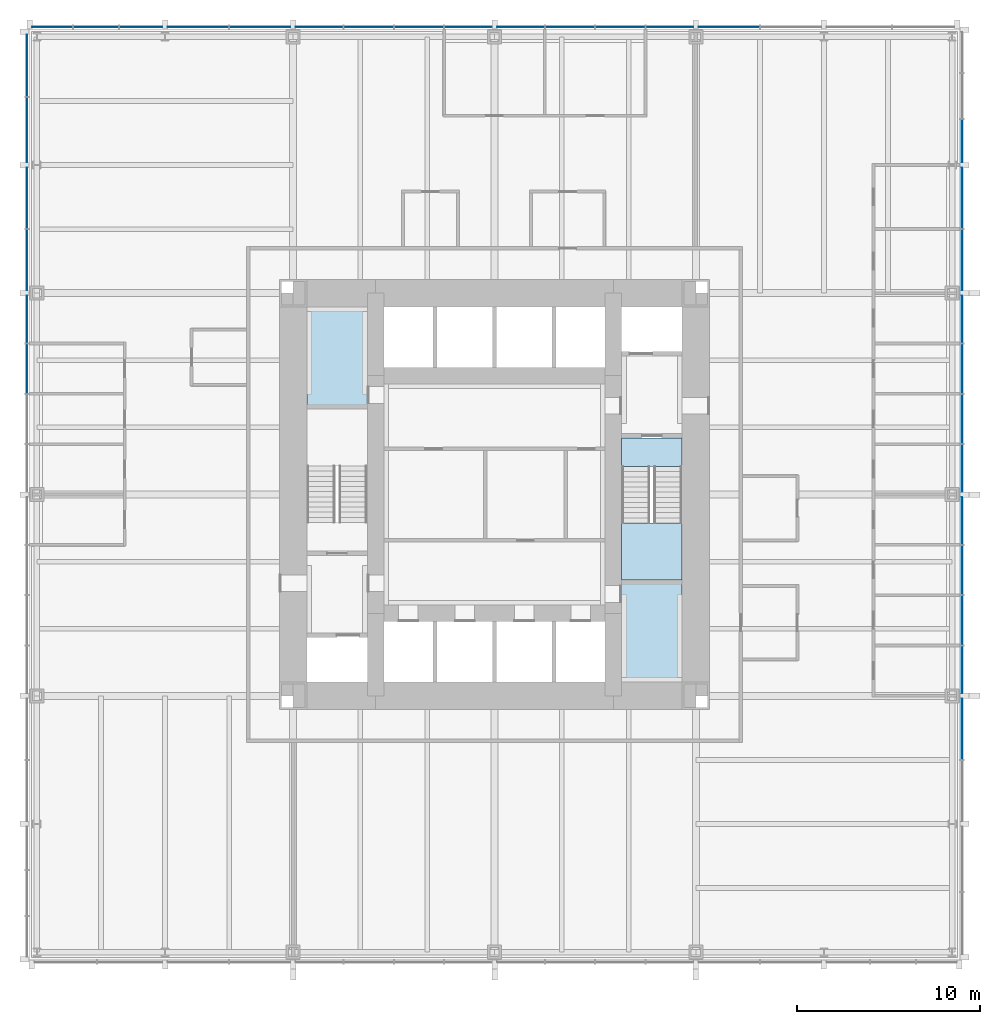
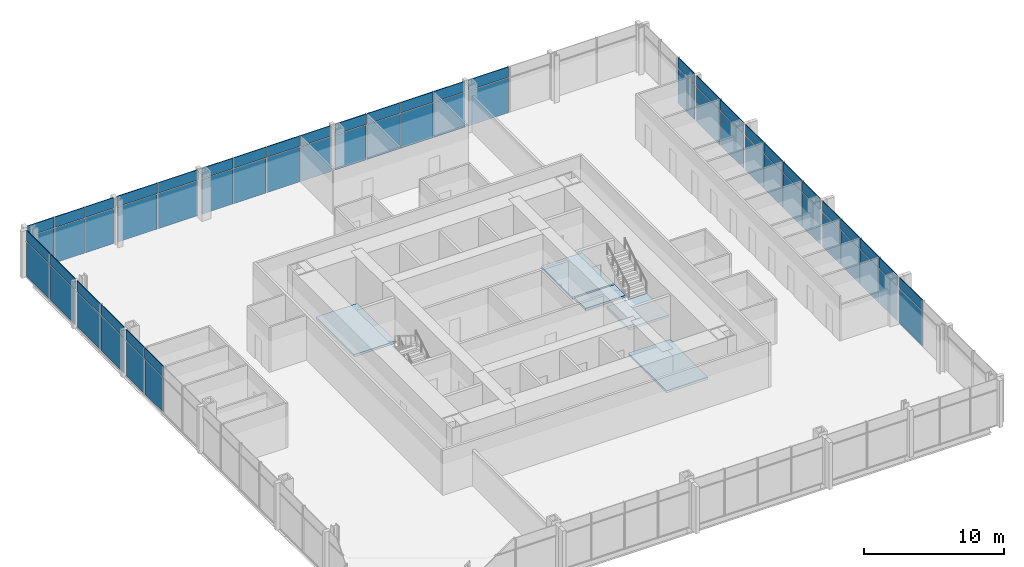
# One storey, part 8 of 12: 64 plates, 5 slabs, 4 elements without a shape of their own.
"""IFC4 building model written with IfcOpenShell, lengths in metres."""

from ifc_helpers import new_model, si_unit, direction, frame, origin, origin_2d, place, context, subcontext, project, spatial, polyline, rectangle, outline, extrude, material, layer, layer_set, type_object, element, aggregate, save


model = new_model("IFC4")

# Units and contexts
model_context = context("Model", 3, precision=1e-05, world=origin(), true_north=direction((0.0, 1.0)))
body_context = subcontext(model_context, "Body", "Model", "MODEL_VIEW")
ifc_project = project(units=[si_unit("LENGTHUNIT", "METRE"), si_unit("AREAUNIT", "SQUARE_METRE"), si_unit("VOLUMEUNIT", "CUBIC_METRE"), si_unit("PLANEANGLEUNIT", "RADIAN"), si_unit("MASSUNIT", "GRAM", prefix="KILO")], contexts=[model_context])

# Site, building, storey
site_placement = place(None, origin())
site = spatial("IfcSite", under=ifc_project, at=site_placement, CompositionType="ELEMENT")
building_placement = place(site_placement, origin())
building = spatial("IfcBuilding", under=site, at=building_placement, Name="Trevanion Tower", CompositionType="ELEMENT")
storey_placement = place(building_placement, frame((0.0, 0.0, 52.89990234375)))
storey = spatial("IfcBuildingStorey", under=building, at=storey_placement, Name="L12", CompositionType="ELEMENT", Elevation=52.89990234375)

# Curtain wall, plates
ifc_material_1 = material(Name="Aluminium and glass", Category="aluminium")
curtain_wall_type = type_object("IfcCurtainWallType", Name="CW1 curtain wall", PredefinedType="USERDEFINED", material=ifc_material_1)
curtain_wall_1_placement = place(storey_placement, origin())
curtain_wall_1 = element("IfcCurtainWall", 1, at=curtain_wall_1_placement, inside=storey, type_object=curtain_wall_type, Name="CW1 L12 0", ObjectType="UNITISED CURTAIN WALL", PredefinedType="USERDEFINED")
ifc_material_2 = material(Name="Aluminium spandrel panel", Category="aluminium")
ifc_layer_1 = layer(ifc_material_2, 0.06005859375)
ifc_layer_set_1 = layer_set([ifc_layer_1], Name="CW1 spandrel panel")
plate_type_1 = type_object("IfcPlateType", Name="CW1 spandrel panel", PredefinedType="CURTAIN_PANEL", material=ifc_layer_set_1)
plate_1_placement = place(storey_placement, frame((25.550048828125, -12.806396484375, 2.99755859375), z_axis=(0.0, 0.0, 1.0), x_axis=(0.0, 1.0, 0.0)))
plate_1 = element("IfcPlate", 2, at=plate_1_placement, type_object=plate_type_1, Name="CW1 panel 4.2", PredefinedType="CURTAIN_PANEL", context=body_context, shape_type="SweptSolid", body=[
    extrude(rectangle(XDim=3.3125, YDim=0.06005859375, at=origin_2d()), origin(), (0.0, 0.0, 1.0), 0.91259765625),
])
plate_2_placement = place(storey_placement, frame((25.550048828125, -9.56884765625, 2.99755859375), z_axis=(0.0, 0.0, 1.0), x_axis=(0.0, 1.0, 0.0)))
plate_2 = element("IfcPlate", 3, at=plate_2_placement, type_object=plate_type_1, Name="CW1 panel 5.2", PredefinedType="CURTAIN_PANEL", context=body_context, shape_type="SweptSolid", body=[
    extrude(rectangle(XDim=2.5625, YDim=0.06005859375, at=origin_2d()), origin(), (0.0, 0.0, 1.0), 0.91259765625),
])
plate_3_placement = place(storey_placement, frame((25.550048828125, -6.875, 2.99755859375), z_axis=(0.0, 0.0, 1.0), x_axis=(0.0, 1.0, 0.0)))
plate_3 = element("IfcPlate", 4, at=plate_3_placement, type_object=plate_type_1, Name="CW1 panel 6.2", PredefinedType="CURTAIN_PANEL", context=body_context, shape_type="SweptSolid", body=[
    extrude(rectangle(XDim=2.675048828125, YDim=0.06005859375, at=origin_2d()), origin(), (0.0, 0.0, 1.0), 0.91259765625),
])
plate_4_placement = place(storey_placement, frame((25.550048828125, -4.125, 2.99755859375), z_axis=(0.0, 0.0, 1.0), x_axis=(0.0, 1.0, 0.0)))
plate_4 = element("IfcPlate", 5, at=plate_4_placement, type_object=plate_type_1, Name="CW1 panel 7.2", PredefinedType="CURTAIN_PANEL", context=body_context, shape_type="SweptSolid", body=[
    extrude(rectangle(XDim=2.675048828125, YDim=0.06005859375, at=origin_2d()), origin(), (0.0, 0.0, 1.0), 0.91259765625),
])
plate_5_placement = place(storey_placement, frame((25.550048828125, -1.43115234375, 2.99755859375), z_axis=(0.0, 0.0, 1.0), x_axis=(0.0, 1.0, 0.0)))
plate_5 = element("IfcPlate", 6, at=plate_5_placement, type_object=plate_type_1, Name="CW1 panel 8.2", PredefinedType="CURTAIN_PANEL", context=body_context, shape_type="SweptSolid", body=[
    extrude(rectangle(XDim=2.5625, YDim=0.06005859375, at=origin_2d()), origin(), (0.0, 0.0, 1.0), 0.91259765625),
])
plate_6_placement = place(storey_placement, frame((25.550048828125, 1.43115234375, 2.99755859375), z_axis=(0.0, 0.0, 1.0), x_axis=(0.0, 1.0, 0.0)))
plate_6 = element("IfcPlate", 7, at=plate_6_placement, type_object=plate_type_1, Name="CW1 panel 9.2", PredefinedType="CURTAIN_PANEL", context=body_context, shape_type="SweptSolid", body=[
    extrude(rectangle(XDim=2.5625, YDim=0.06005859375, at=origin_2d()), origin(), (0.0, 0.0, 1.0), 0.91259765625),
])
plate_7_placement = place(storey_placement, frame((25.550048828125, 4.125, 2.99755859375), z_axis=(0.0, 0.0, 1.0), x_axis=(0.0, 1.0, 0.0)))
plate_7 = element("IfcPlate", 8, at=plate_7_placement, type_object=plate_type_1, Name="CW1 panel 10.2", PredefinedType="CURTAIN_PANEL", context=body_context, shape_type="SweptSolid", body=[
    extrude(rectangle(XDim=2.675048828125, YDim=0.06005859375, at=origin_2d()), origin(), (0.0, 0.0, 1.0), 0.91259765625),
])
plate_8_placement = place(storey_placement, frame((25.550048828125, 6.875, 2.99755859375), z_axis=(0.0, 0.0, 1.0), x_axis=(0.0, 1.0, 0.0)))
plate_8 = element("IfcPlate", 9, at=plate_8_placement, type_object=plate_type_1, Name="CW1 panel 11.2", PredefinedType="CURTAIN_PANEL", context=body_context, shape_type="SweptSolid", body=[
    extrude(rectangle(XDim=2.675048828125, YDim=0.06005859375, at=origin_2d()), origin(), (0.0, 0.0, 1.0), 0.91259765625),
])
plate_9_placement = place(storey_placement, frame((25.550048828125, 9.56884765625, 2.99755859375), z_axis=(0.0, 0.0, 1.0), x_axis=(0.0, 1.0, 0.0)))
plate_9 = element("IfcPlate", 10, at=plate_9_placement, type_object=plate_type_1, Name="CW1 panel 12.2", PredefinedType="CURTAIN_PANEL", context=body_context, shape_type="SweptSolid", body=[
    extrude(rectangle(XDim=2.5625, YDim=0.06005859375, at=origin_2d()), origin(), (0.0, 0.0, 1.0), 0.91259765625),
])
plate_10_placement = place(storey_placement, frame((25.550048828125, 12.80615234375, 2.99755859375), z_axis=(0.0, 0.0, 1.0), x_axis=(0.0, 1.0, 0.0)))
plate_10 = element("IfcPlate", 11, at=plate_10_placement, type_object=plate_type_1, Name="CW1 panel 13.2", PredefinedType="CURTAIN_PANEL", context=body_context, shape_type="SweptSolid", body=[
    extrude(rectangle(XDim=3.3125, YDim=0.06005859375, at=origin_2d()), origin(), (0.0, 0.0, 1.0), 0.91259765625),
])
plate_11_placement = place(storey_placement, frame((25.550048828125, 16.19384765625, 2.99755859375), z_axis=(0.0, 0.0, 1.0), x_axis=(0.0, 1.0, 0.0)))
plate_11 = element("IfcPlate", 12, at=plate_11_placement, type_object=plate_type_1, Name="CW1 panel 14.2", PredefinedType="CURTAIN_PANEL", context=body_context, shape_type="SweptSolid", body=[
    extrude(rectangle(XDim=3.3125, YDim=0.06005859375, at=origin_2d()), origin(), (0.0, 0.0, 1.0), 0.91259765625),
])
plate_12_placement = place(storey_placement, frame((25.550048828125, 19.314697265625, 2.99755859375), z_axis=(0.0, 0.0, 1.0), x_axis=(0.0, 1.0, 0.0)))
plate_12 = element("IfcPlate", 13, at=plate_12_placement, type_object=plate_type_1, Name="CW1 panel 15.2", PredefinedType="CURTAIN_PANEL", context=body_context, shape_type="SweptSolid", body=[
    extrude(rectangle(XDim=2.3291015625, YDim=0.06005859375, at=origin_2d()), origin(), (0.0, 0.0, 1.0), 0.91259765625),
])

curtain_wall_2_placement = place(storey_placement, origin())
curtain_wall_2 = element("IfcCurtainWall", 14, at=curtain_wall_2_placement, inside=storey, type_object=curtain_wall_type, Name="CW1 L12 1", ObjectType="UNITISED CURTAIN WALL", PredefinedType="USERDEFINED")
plate_13_placement = place(storey_placement, frame((12.806396484375, 25.550048828125, 2.99755859375), z_axis=(0.0, 0.0, 1.0), x_axis=(-1.0, 0.0, 0.0)))
plate_13 = element("IfcPlate", 15, at=plate_13_placement, type_object=plate_type_1, Name="CW1 panel 4.2", PredefinedType="CURTAIN_PANEL", context=body_context, shape_type="SweptSolid", body=[
    extrude(rectangle(XDim=3.3125, YDim=0.06005859375, at=origin_2d()), origin(), (0.0, 0.0, 1.0), 0.91259765625),
])
plate_14_placement = place(storey_placement, frame((9.56884765625, 25.550048828125, 2.99755859375), z_axis=(0.0, 0.0, 1.0), x_axis=(-1.0, 0.0, 0.0)))
plate_14 = element("IfcPlate", 16, at=plate_14_placement, type_object=plate_type_1, Name="CW1 panel 5.2", PredefinedType="CURTAIN_PANEL", context=body_context, shape_type="SweptSolid", body=[
    extrude(rectangle(XDim=2.5625, YDim=0.06005859375, at=origin_2d()), origin(), (0.0, 0.0, 1.0), 0.91259765625),
])
plate_15_placement = place(storey_placement, frame((6.875, 25.550048828125, 2.99755859375), z_axis=(0.0, 0.0, 1.0), x_axis=(-1.0, 0.0, 0.0)))
plate_15 = element("IfcPlate", 17, at=plate_15_placement, type_object=plate_type_1, Name="CW1 panel 6.2", PredefinedType="CURTAIN_PANEL", context=body_context, shape_type="SweptSolid", body=[
    extrude(rectangle(XDim=2.675048828125, YDim=0.06005859375, at=origin_2d()), origin(), (0.0, 0.0, 1.0), 0.91259765625),
])
plate_16_placement = place(storey_placement, frame((4.125, 25.550048828125, 2.99755859375), z_axis=(0.0, 0.0, 1.0), x_axis=(-1.0, 0.0, 0.0)))
plate_16 = element("IfcPlate", 18, at=plate_16_placement, type_object=plate_type_1, Name="CW1 panel 7.2", PredefinedType="CURTAIN_PANEL", context=body_context, shape_type="SweptSolid", body=[
    extrude(rectangle(XDim=2.675048828125, YDim=0.06005859375, at=origin_2d()), origin(), (0.0, 0.0, 1.0), 0.91259765625),
])
plate_17_placement = place(storey_placement, frame((1.43115234375, 25.550048828125, 2.99755859375), z_axis=(0.0, 0.0, 1.0), x_axis=(-1.0, 0.0, 0.0)))
plate_17 = element("IfcPlate", 19, at=plate_17_placement, type_object=plate_type_1, Name="CW1 panel 8.2", PredefinedType="CURTAIN_PANEL", context=body_context, shape_type="SweptSolid", body=[
    extrude(rectangle(XDim=2.5625, YDim=0.06005859375, at=origin_2d()), origin(), (0.0, 0.0, 1.0), 0.91259765625),
])
plate_18_placement = place(storey_placement, frame((-1.43115234375, 25.550048828125, 2.99755859375), z_axis=(0.0, 0.0, 1.0), x_axis=(-1.0, 0.0, 0.0)))
plate_18 = element("IfcPlate", 20, at=plate_18_placement, type_object=plate_type_1, Name="CW1 panel 9.2", PredefinedType="CURTAIN_PANEL", context=body_context, shape_type="SweptSolid", body=[
    extrude(rectangle(XDim=2.5625, YDim=0.06005859375, at=origin_2d()), origin(), (0.0, 0.0, 1.0), 0.91259765625),
])
plate_19_placement = place(storey_placement, frame((-4.125, 25.550048828125, 2.99755859375), z_axis=(0.0, 0.0, 1.0), x_axis=(-1.0, 0.0, 0.0)))
plate_19 = element("IfcPlate", 21, at=plate_19_placement, type_object=plate_type_1, Name="CW1 panel 10.2", PredefinedType="CURTAIN_PANEL", context=body_context, shape_type="SweptSolid", body=[
    extrude(rectangle(XDim=2.675048828125, YDim=0.06005859375, at=origin_2d()), origin(), (0.0, 0.0, 1.0), 0.91259765625),
])
plate_20_placement = place(storey_placement, frame((-6.875, 25.550048828125, 2.99755859375), z_axis=(0.0, 0.0, 1.0), x_axis=(-1.0, 0.0, 0.0)))
plate_20 = element("IfcPlate", 22, at=plate_20_placement, type_object=plate_type_1, Name="CW1 panel 11.2", PredefinedType="CURTAIN_PANEL", context=body_context, shape_type="SweptSolid", body=[
    extrude(rectangle(XDim=2.675048828125, YDim=0.06005859375, at=origin_2d()), origin(), (0.0, 0.0, 1.0), 0.91259765625),
])
plate_21_placement = place(storey_placement, frame((-9.56884765625, 25.550048828125, 2.99755859375), z_axis=(0.0, 0.0, 1.0), x_axis=(-1.0, 0.0, 0.0)))
plate_21 = element("IfcPlate", 23, at=plate_21_placement, type_object=plate_type_1, Name="CW1 panel 12.2", PredefinedType="CURTAIN_PANEL", context=body_context, shape_type="SweptSolid", body=[
    extrude(rectangle(XDim=2.5625, YDim=0.06005859375, at=origin_2d()), origin(), (0.0, 0.0, 1.0), 0.91259765625),
])
plate_22_placement = place(storey_placement, frame((-12.80615234375, 25.550048828125, 2.99755859375), z_axis=(0.0, 0.0, 1.0), x_axis=(-1.0, 0.0, 0.0)))
plate_22 = element("IfcPlate", 24, at=plate_22_placement, type_object=plate_type_1, Name="CW1 panel 13.2", PredefinedType="CURTAIN_PANEL", context=body_context, shape_type="SweptSolid", body=[
    extrude(rectangle(XDim=3.3125, YDim=0.06005859375, at=origin_2d()), origin(), (0.0, 0.0, 1.0), 0.91259765625),
])
plate_23_placement = place(storey_placement, frame((-16.19384765625, 25.550048828125, 2.99755859375), z_axis=(0.0, 0.0, 1.0), x_axis=(-1.0, 0.0, 0.0)))
plate_23 = element("IfcPlate", 25, at=plate_23_placement, type_object=plate_type_1, Name="CW1 panel 14.2", PredefinedType="CURTAIN_PANEL", context=body_context, shape_type="SweptSolid", body=[
    extrude(rectangle(XDim=3.3125, YDim=0.06005859375, at=origin_2d()), origin(), (0.0, 0.0, 1.0), 0.91259765625),
])
plate_24_placement = place(storey_placement, frame((-19.314697265625, 25.550048828125, 2.99755859375), z_axis=(0.0, 0.0, 1.0), x_axis=(-1.0, 0.0, 0.0)))
plate_24 = element("IfcPlate", 26, at=plate_24_placement, type_object=plate_type_1, Name="CW1 panel 15.2", PredefinedType="CURTAIN_PANEL", context=body_context, shape_type="SweptSolid", body=[
    extrude(rectangle(XDim=2.3291015625, YDim=0.06005859375, at=origin_2d()), origin(), (0.0, 0.0, 1.0), 0.91259765625),
])
plate_25_placement = place(storey_placement, frame((-21.77490234375, 25.550048828125, 2.99755859375), z_axis=(0.0, 0.0, 1.0), x_axis=(-1.0, 0.0, 0.0)))
plate_25 = element("IfcPlate", 27, at=plate_25_placement, type_object=plate_type_1, Name="CW1 panel 16.2", PredefinedType="CURTAIN_PANEL", context=body_context, shape_type="SweptSolid", body=[
    extrude(rectangle(XDim=2.441650390625, YDim=0.06005859375, at=origin_2d()), origin(), (0.0, 0.0, 1.0), 0.91259765625),
])
plate_26_placement = place(storey_placement, frame((-24.160400390625, 25.550048828125, 2.99755859375), z_axis=(0.0, 0.0, 1.0), x_axis=(-1.0, 0.0, 0.0)))
plate_26 = element("IfcPlate", 28, at=plate_26_placement, type_object=plate_type_1, Name="CW1 panel 17.2", PredefinedType="CURTAIN_PANEL", context=body_context, shape_type="SweptSolid", body=[
    extrude(rectangle(XDim=2.17919921875, YDim=0.06005859375, at=origin_2d()), origin(), (0.0, 0.0, 1.0), 0.91259765625),
])

curtain_wall_3_placement = place(storey_placement, origin())
curtain_wall_3 = element("IfcCurtainWall", 29, at=curtain_wall_3_placement, inside=storey, type_object=curtain_wall_type, Name="CW1 L12 2", ObjectType="UNITISED CURTAIN WALL", PredefinedType="USERDEFINED")
plate_27_placement = place(storey_placement, frame((-25.550048828125, 23.433837890625, 2.99755859375), z_axis=(0.0, 0.0, 1.0), x_axis=(0.0, -1.0, 0.0)))
plate_27 = element("IfcPlate", 30, at=plate_27_placement, type_object=plate_type_1, Name="CW1 panel 1.2", PredefinedType="CURTAIN_PANEL", context=body_context, shape_type="SweptSolid", body=[
    extrude(rectangle(XDim=3.37255859375, YDim=0.06005859375, at=origin_2d()), origin(), (0.0, 0.0, 1.0), 0.91259765625),
])
plate_28_placement = place(storey_placement, frame((-25.550048828125, 19.911376953125, 2.99755859375), z_axis=(0.0, 0.0, 1.0), x_axis=(0.0, -1.0, 0.0)))
plate_28 = element("IfcPlate", 31, at=plate_28_placement, type_object=plate_type_1, Name="CW1 panel 2.2", PredefinedType="CURTAIN_PANEL", context=body_context, shape_type="SweptSolid", body=[
    extrude(rectangle(XDim=3.5224609375, YDim=0.06005859375, at=origin_2d()), origin(), (0.0, 0.0, 1.0), 0.91259765625),
])
plate_29_placement = place(storey_placement, frame((-25.550048828125, 16.19384765625, 2.99755859375), z_axis=(0.0, 0.0, 1.0), x_axis=(0.0, -1.0, 0.0)))
plate_29 = element("IfcPlate", 32, at=plate_29_placement, type_object=plate_type_1, Name="CW1 panel 3.2", PredefinedType="CURTAIN_PANEL", context=body_context, shape_type="SweptSolid", body=[
    extrude(rectangle(XDim=3.3125, YDim=0.06005859375, at=origin_2d()), origin(), (0.0, 0.0, 1.0), 0.91259765625),
])
plate_30_placement = place(storey_placement, frame((-25.550048828125, 12.806396484375, 2.99755859375), z_axis=(0.0, 0.0, 1.0), x_axis=(0.0, -1.0, 0.0)))
plate_30 = element("IfcPlate", 33, at=plate_30_placement, type_object=plate_type_1, Name="CW1 panel 4.2", PredefinedType="CURTAIN_PANEL", context=body_context, shape_type="SweptSolid", body=[
    extrude(rectangle(XDim=3.3125, YDim=0.06005859375, at=origin_2d()), origin(), (0.0, 0.0, 1.0), 0.91259765625),
])
plate_31_placement = place(storey_placement, frame((-25.550048828125, 9.56884765625, 2.99755859375), z_axis=(0.0, 0.0, 1.0), x_axis=(0.0, -1.0, 0.0)))
plate_31 = element("IfcPlate", 34, at=plate_31_placement, type_object=plate_type_1, Name="CW1 panel 5.2", PredefinedType="CURTAIN_PANEL", context=body_context, shape_type="SweptSolid", body=[
    extrude(rectangle(XDim=2.5625, YDim=0.06005859375, at=origin_2d()), origin(), (0.0, 0.0, 1.0), 0.91259765625),
])
plate_32_placement = place(storey_placement, frame((-25.550048828125, 6.875, 2.99755859375), z_axis=(0.0, 0.0, 1.0), x_axis=(0.0, -1.0, 0.0)))
plate_32 = element("IfcPlate", 35, at=plate_32_placement, type_object=plate_type_1, Name="CW1 panel 6.2", PredefinedType="CURTAIN_PANEL", context=body_context, shape_type="SweptSolid", body=[
    extrude(rectangle(XDim=2.675048828125, YDim=0.06005859375, at=origin_2d()), origin(), (0.0, 0.0, 1.0), 0.91259765625),
])

# Plate
ifc_material_3 = material(Name="Insulating glass unit", Category="glass")
ifc_layer_2 = layer(ifc_material_3, 0.028076171875)
ifc_layer_set_2 = layer_set([ifc_layer_2], Name="CW1 vision panel")
plate_type_2 = type_object("IfcPlateType", Name="CW1 vision panel", PredefinedType="CURTAIN_PANEL", material=ifc_layer_set_2)
plate_33_placement = place(storey_placement, frame((25.550048828125, -12.806396484375, -0.114990234375), z_axis=(0.0, 0.0, 1.0), x_axis=(0.0, 1.0, 0.0)))
plate_33 = element("IfcPlate", 36, at=plate_33_placement, type_object=plate_type_2, Name="CW1 panel 4.1", PredefinedType="CURTAIN_PANEL", context=body_context, shape_type="SweptSolid", body=[
    extrude(rectangle(XDim=3.3125, YDim=0.028076171875, at=origin_2d()), origin(), (0.0, 0.0, 1.0), 3.03759765625),
])

plate_34_placement = place(storey_placement, frame((25.550048828125, -9.56884765625, -0.114990234375), z_axis=(0.0, 0.0, 1.0), x_axis=(0.0, 1.0, 0.0)))
plate_34 = element("IfcPlate", 37, at=plate_34_placement, type_object=plate_type_2, Name="CW1 panel 5.1", PredefinedType="CURTAIN_PANEL", context=body_context, shape_type="SweptSolid", body=[
    extrude(rectangle(XDim=2.5625, YDim=0.028076171875, at=origin_2d()), origin(), (0.0, 0.0, 1.0), 3.03759765625),
])

plate_35_placement = place(storey_placement, frame((25.550048828125, -6.875, -0.114990234375), z_axis=(0.0, 0.0, 1.0), x_axis=(0.0, 1.0, 0.0)))
plate_35 = element("IfcPlate", 38, at=plate_35_placement, type_object=plate_type_2, Name="CW1 panel 6.1", PredefinedType="CURTAIN_PANEL", context=body_context, shape_type="SweptSolid", body=[
    extrude(rectangle(XDim=2.675048828125, YDim=0.028076171875, at=origin_2d()), origin(), (0.0, 0.0, 1.0), 3.03759765625),
])

plate_36_placement = place(storey_placement, frame((25.550048828125, -4.125, -0.114990234375), z_axis=(0.0, 0.0, 1.0), x_axis=(0.0, 1.0, 0.0)))
plate_36 = element("IfcPlate", 39, at=plate_36_placement, type_object=plate_type_2, Name="CW1 panel 7.1", PredefinedType="CURTAIN_PANEL", context=body_context, shape_type="SweptSolid", body=[
    extrude(rectangle(XDim=2.675048828125, YDim=0.028076171875, at=origin_2d()), origin(), (0.0, 0.0, 1.0), 3.03759765625),
])

plate_37_placement = place(storey_placement, frame((25.550048828125, -1.43115234375, -0.114990234375), z_axis=(0.0, 0.0, 1.0), x_axis=(0.0, 1.0, 0.0)))
plate_37 = element("IfcPlate", 40, at=plate_37_placement, type_object=plate_type_2, Name="CW1 panel 8.1", PredefinedType="CURTAIN_PANEL", context=body_context, shape_type="SweptSolid", body=[
    extrude(rectangle(XDim=2.5625, YDim=0.028076171875, at=origin_2d()), origin(), (0.0, 0.0, 1.0), 3.03759765625),
])

plate_38_placement = place(storey_placement, frame((25.550048828125, 1.43115234375, -0.114990234375), z_axis=(0.0, 0.0, 1.0), x_axis=(0.0, 1.0, 0.0)))
plate_38 = element("IfcPlate", 41, at=plate_38_placement, type_object=plate_type_2, Name="CW1 panel 9.1", PredefinedType="CURTAIN_PANEL", context=body_context, shape_type="SweptSolid", body=[
    extrude(rectangle(XDim=2.5625, YDim=0.028076171875, at=origin_2d()), origin(), (0.0, 0.0, 1.0), 3.03759765625),
])

plate_39_placement = place(storey_placement, frame((25.550048828125, 4.125, -0.114990234375), z_axis=(0.0, 0.0, 1.0), x_axis=(0.0, 1.0, 0.0)))
plate_39 = element("IfcPlate", 42, at=plate_39_placement, type_object=plate_type_2, Name="CW1 panel 10.1", PredefinedType="CURTAIN_PANEL", context=body_context, shape_type="SweptSolid", body=[
    extrude(rectangle(XDim=2.675048828125, YDim=0.028076171875, at=origin_2d()), origin(), (0.0, 0.0, 1.0), 3.03759765625),
])

plate_40_placement = place(storey_placement, frame((25.550048828125, 6.875, -0.114990234375), z_axis=(0.0, 0.0, 1.0), x_axis=(0.0, 1.0, 0.0)))
plate_40 = element("IfcPlate", 43, at=plate_40_placement, type_object=plate_type_2, Name="CW1 panel 11.1", PredefinedType="CURTAIN_PANEL", context=body_context, shape_type="SweptSolid", body=[
    extrude(rectangle(XDim=2.675048828125, YDim=0.028076171875, at=origin_2d()), origin(), (0.0, 0.0, 1.0), 3.03759765625),
])

plate_41_placement = place(storey_placement, frame((25.550048828125, 9.56884765625, -0.114990234375), z_axis=(0.0, 0.0, 1.0), x_axis=(0.0, 1.0, 0.0)))
plate_41 = element("IfcPlate", 44, at=plate_41_placement, type_object=plate_type_2, Name="CW1 panel 12.1", PredefinedType="CURTAIN_PANEL", context=body_context, shape_type="SweptSolid", body=[
    extrude(rectangle(XDim=2.5625, YDim=0.028076171875, at=origin_2d()), origin(), (0.0, 0.0, 1.0), 3.03759765625),
])

plate_42_placement = place(storey_placement, frame((25.550048828125, 12.80615234375, -0.114990234375), z_axis=(0.0, 0.0, 1.0), x_axis=(0.0, 1.0, 0.0)))
plate_42 = element("IfcPlate", 45, at=plate_42_placement, type_object=plate_type_2, Name="CW1 panel 13.1", PredefinedType="CURTAIN_PANEL", context=body_context, shape_type="SweptSolid", body=[
    extrude(rectangle(XDim=3.3125, YDim=0.028076171875, at=origin_2d()), origin(), (0.0, 0.0, 1.0), 3.03759765625),
])

plate_43_placement = place(storey_placement, frame((25.550048828125, 16.19384765625, -0.114990234375), z_axis=(0.0, 0.0, 1.0), x_axis=(0.0, 1.0, 0.0)))
plate_43 = element("IfcPlate", 46, at=plate_43_placement, type_object=plate_type_2, Name="CW1 panel 14.1", PredefinedType="CURTAIN_PANEL", context=body_context, shape_type="SweptSolid", body=[
    extrude(rectangle(XDim=3.3125, YDim=0.028076171875, at=origin_2d()), origin(), (0.0, 0.0, 1.0), 3.03759765625),
])

plate_44_placement = place(storey_placement, frame((25.550048828125, 19.314697265625, -0.114990234375), z_axis=(0.0, 0.0, 1.0), x_axis=(0.0, 1.0, 0.0)))
plate_44 = element("IfcPlate", 47, at=plate_44_placement, type_object=plate_type_2, Name="CW1 panel 15.1", PredefinedType="CURTAIN_PANEL", context=body_context, shape_type="SweptSolid", body=[
    extrude(rectangle(XDim=2.3291015625, YDim=0.028076171875, at=origin_2d()), origin(), (0.0, 0.0, 1.0), 3.03759765625),
])

aggregate(curtain_wall_1, [plate_33, plate_1, plate_34, plate_2, plate_35, plate_3, plate_36, plate_4, plate_37, plate_5, plate_38, plate_6, plate_39, plate_7, plate_40, plate_8, plate_41, plate_9, plate_42, plate_10, plate_43, plate_11, plate_44, plate_12])

plate_45_placement = place(storey_placement, frame((12.806396484375, 25.550048828125, -0.114990234375), z_axis=(0.0, 0.0, 1.0), x_axis=(-1.0, 0.0, 0.0)))
plate_45 = element("IfcPlate", 48, at=plate_45_placement, type_object=plate_type_2, Name="CW1 panel 4.1", PredefinedType="CURTAIN_PANEL", context=body_context, shape_type="SweptSolid", body=[
    extrude(rectangle(XDim=3.3125, YDim=0.028076171875, at=origin_2d()), origin(), (0.0, 0.0, 1.0), 3.03759765625),
])

plate_46_placement = place(storey_placement, frame((9.56884765625, 25.550048828125, -0.114990234375), z_axis=(0.0, 0.0, 1.0), x_axis=(-1.0, 0.0, 0.0)))
plate_46 = element("IfcPlate", 49, at=plate_46_placement, type_object=plate_type_2, Name="CW1 panel 5.1", PredefinedType="CURTAIN_PANEL", context=body_context, shape_type="SweptSolid", body=[
    extrude(rectangle(XDim=2.5625, YDim=0.028076171875, at=origin_2d()), origin(), (0.0, 0.0, 1.0), 3.03759765625),
])

plate_47_placement = place(storey_placement, frame((6.875, 25.550048828125, -0.114990234375), z_axis=(0.0, 0.0, 1.0), x_axis=(-1.0, 0.0, 0.0)))
plate_47 = element("IfcPlate", 50, at=plate_47_placement, type_object=plate_type_2, Name="CW1 panel 6.1", PredefinedType="CURTAIN_PANEL", context=body_context, shape_type="SweptSolid", body=[
    extrude(rectangle(XDim=2.675048828125, YDim=0.028076171875, at=origin_2d()), origin(), (0.0, 0.0, 1.0), 3.03759765625),
])

plate_48_placement = place(storey_placement, frame((4.125, 25.550048828125, -0.114990234375), z_axis=(0.0, 0.0, 1.0), x_axis=(-1.0, 0.0, 0.0)))
plate_48 = element("IfcPlate", 51, at=plate_48_placement, type_object=plate_type_2, Name="CW1 panel 7.1", PredefinedType="CURTAIN_PANEL", context=body_context, shape_type="SweptSolid", body=[
    extrude(rectangle(XDim=2.675048828125, YDim=0.028076171875, at=origin_2d()), origin(), (0.0, 0.0, 1.0), 3.03759765625),
])

plate_49_placement = place(storey_placement, frame((1.43115234375, 25.550048828125, -0.114990234375), z_axis=(0.0, 0.0, 1.0), x_axis=(-1.0, 0.0, 0.0)))
plate_49 = element("IfcPlate", 52, at=plate_49_placement, type_object=plate_type_2, Name="CW1 panel 8.1", PredefinedType="CURTAIN_PANEL", context=body_context, shape_type="SweptSolid", body=[
    extrude(rectangle(XDim=2.5625, YDim=0.028076171875, at=origin_2d()), origin(), (0.0, 0.0, 1.0), 3.03759765625),
])

plate_50_placement = place(storey_placement, frame((-1.43115234375, 25.550048828125, -0.114990234375), z_axis=(0.0, 0.0, 1.0), x_axis=(-1.0, 0.0, 0.0)))
plate_50 = element("IfcPlate", 53, at=plate_50_placement, type_object=plate_type_2, Name="CW1 panel 9.1", PredefinedType="CURTAIN_PANEL", context=body_context, shape_type="SweptSolid", body=[
    extrude(rectangle(XDim=2.5625, YDim=0.028076171875, at=origin_2d()), origin(), (0.0, 0.0, 1.0), 3.03759765625),
])

plate_51_placement = place(storey_placement, frame((-4.125, 25.550048828125, -0.114990234375), z_axis=(0.0, 0.0, 1.0), x_axis=(-1.0, 0.0, 0.0)))
plate_51 = element("IfcPlate", 54, at=plate_51_placement, type_object=plate_type_2, Name="CW1 panel 10.1", PredefinedType="CURTAIN_PANEL", context=body_context, shape_type="SweptSolid", body=[
    extrude(rectangle(XDim=2.675048828125, YDim=0.028076171875, at=origin_2d()), origin(), (0.0, 0.0, 1.0), 3.03759765625),
])

plate_52_placement = place(storey_placement, frame((-6.875, 25.550048828125, -0.114990234375), z_axis=(0.0, 0.0, 1.0), x_axis=(-1.0, 0.0, 0.0)))
plate_52 = element("IfcPlate", 55, at=plate_52_placement, type_object=plate_type_2, Name="CW1 panel 11.1", PredefinedType="CURTAIN_PANEL", context=body_context, shape_type="SweptSolid", body=[
    extrude(rectangle(XDim=2.675048828125, YDim=0.028076171875, at=origin_2d()), origin(), (0.0, 0.0, 1.0), 3.03759765625),
])

plate_53_placement = place(storey_placement, frame((-9.56884765625, 25.550048828125, -0.114990234375), z_axis=(0.0, 0.0, 1.0), x_axis=(-1.0, 0.0, 0.0)))
plate_53 = element("IfcPlate", 56, at=plate_53_placement, type_object=plate_type_2, Name="CW1 panel 12.1", PredefinedType="CURTAIN_PANEL", context=body_context, shape_type="SweptSolid", body=[
    extrude(rectangle(XDim=2.5625, YDim=0.028076171875, at=origin_2d()), origin(), (0.0, 0.0, 1.0), 3.03759765625),
])

plate_54_placement = place(storey_placement, frame((-12.80615234375, 25.550048828125, -0.114990234375), z_axis=(0.0, 0.0, 1.0), x_axis=(-1.0, 0.0, 0.0)))
plate_54 = element("IfcPlate", 57, at=plate_54_placement, type_object=plate_type_2, Name="CW1 panel 13.1", PredefinedType="CURTAIN_PANEL", context=body_context, shape_type="SweptSolid", body=[
    extrude(rectangle(XDim=3.3125, YDim=0.028076171875, at=origin_2d()), origin(), (0.0, 0.0, 1.0), 3.03759765625),
])

plate_55_placement = place(storey_placement, frame((-16.19384765625, 25.550048828125, -0.114990234375), z_axis=(0.0, 0.0, 1.0), x_axis=(-1.0, 0.0, 0.0)))
plate_55 = element("IfcPlate", 58, at=plate_55_placement, type_object=plate_type_2, Name="CW1 panel 14.1", PredefinedType="CURTAIN_PANEL", context=body_context, shape_type="SweptSolid", body=[
    extrude(rectangle(XDim=3.3125, YDim=0.028076171875, at=origin_2d()), origin(), (0.0, 0.0, 1.0), 3.03759765625),
])

plate_56_placement = place(storey_placement, frame((-19.314697265625, 25.550048828125, -0.114990234375), z_axis=(0.0, 0.0, 1.0), x_axis=(-1.0, 0.0, 0.0)))
plate_56 = element("IfcPlate", 59, at=plate_56_placement, type_object=plate_type_2, Name="CW1 panel 15.1", PredefinedType="CURTAIN_PANEL", context=body_context, shape_type="SweptSolid", body=[
    extrude(rectangle(XDim=2.3291015625, YDim=0.028076171875, at=origin_2d()), origin(), (0.0, 0.0, 1.0), 3.03759765625),
])

plate_57_placement = place(storey_placement, frame((-21.77490234375, 25.550048828125, -0.114990234375), z_axis=(0.0, 0.0, 1.0), x_axis=(-1.0, 0.0, 0.0)))
plate_57 = element("IfcPlate", 60, at=plate_57_placement, type_object=plate_type_2, Name="CW1 panel 16.1", PredefinedType="CURTAIN_PANEL", context=body_context, shape_type="SweptSolid", body=[
    extrude(rectangle(XDim=2.441650390625, YDim=0.028076171875, at=origin_2d()), origin(), (0.0, 0.0, 1.0), 3.03759765625),
])

plate_58_placement = place(storey_placement, frame((-24.160400390625, 25.550048828125, -0.114990234375), z_axis=(0.0, 0.0, 1.0), x_axis=(-1.0, 0.0, 0.0)))
plate_58 = element("IfcPlate", 61, at=plate_58_placement, type_object=plate_type_2, Name="CW1 panel 17.1", PredefinedType="CURTAIN_PANEL", context=body_context, shape_type="SweptSolid", body=[
    extrude(rectangle(XDim=2.17919921875, YDim=0.028076171875, at=origin_2d()), origin(), (0.0, 0.0, 1.0), 3.03759765625),
])

aggregate(curtain_wall_2, [plate_45, plate_13, plate_46, plate_14, plate_47, plate_15, plate_48, plate_16, plate_49, plate_17, plate_50, plate_18, plate_51, plate_19, plate_52, plate_20, plate_53, plate_21, plate_54, plate_22, plate_55, plate_23, plate_56, plate_24, plate_57, plate_25, plate_58, plate_26])

plate_59_placement = place(storey_placement, frame((-25.550048828125, 23.433837890625, -0.114990234375), z_axis=(0.0, 0.0, 1.0), x_axis=(0.0, -1.0, 0.0)))
plate_59 = element("IfcPlate", 62, at=plate_59_placement, type_object=plate_type_2, Name="CW1 panel 1.1", PredefinedType="CURTAIN_PANEL", context=body_context, shape_type="SweptSolid", body=[
    extrude(rectangle(XDim=3.37255859375, YDim=0.028076171875, at=origin_2d()), origin(), (0.0, 0.0, 1.0), 3.03759765625),
])

plate_60_placement = place(storey_placement, frame((-25.550048828125, 19.911376953125, -0.114990234375), z_axis=(0.0, 0.0, 1.0), x_axis=(0.0, -1.0, 0.0)))
plate_60 = element("IfcPlate", 63, at=plate_60_placement, type_object=plate_type_2, Name="CW1 panel 2.1", PredefinedType="CURTAIN_PANEL", context=body_context, shape_type="SweptSolid", body=[
    extrude(rectangle(XDim=3.5224609375, YDim=0.028076171875, at=origin_2d()), origin(), (0.0, 0.0, 1.0), 3.03759765625),
])

plate_61_placement = place(storey_placement, frame((-25.550048828125, 16.19384765625, -0.114990234375), z_axis=(0.0, 0.0, 1.0), x_axis=(0.0, -1.0, 0.0)))
plate_61 = element("IfcPlate", 64, at=plate_61_placement, type_object=plate_type_2, Name="CW1 panel 3.1", PredefinedType="CURTAIN_PANEL", context=body_context, shape_type="SweptSolid", body=[
    extrude(rectangle(XDim=3.3125, YDim=0.028076171875, at=origin_2d()), origin(), (0.0, 0.0, 1.0), 3.03759765625),
])

plate_62_placement = place(storey_placement, frame((-25.550048828125, 12.806396484375, -0.114990234375), z_axis=(0.0, 0.0, 1.0), x_axis=(0.0, -1.0, 0.0)))
plate_62 = element("IfcPlate", 65, at=plate_62_placement, type_object=plate_type_2, Name="CW1 panel 4.1", PredefinedType="CURTAIN_PANEL", context=body_context, shape_type="SweptSolid", body=[
    extrude(rectangle(XDim=3.3125, YDim=0.028076171875, at=origin_2d()), origin(), (0.0, 0.0, 1.0), 3.03759765625),
])

plate_63_placement = place(storey_placement, frame((-25.550048828125, 9.56884765625, -0.114990234375), z_axis=(0.0, 0.0, 1.0), x_axis=(0.0, -1.0, 0.0)))
plate_63 = element("IfcPlate", 66, at=plate_63_placement, type_object=plate_type_2, Name="CW1 panel 5.1", PredefinedType="CURTAIN_PANEL", context=body_context, shape_type="SweptSolid", body=[
    extrude(rectangle(XDim=2.5625, YDim=0.028076171875, at=origin_2d()), origin(), (0.0, 0.0, 1.0), 3.03759765625),
])

plate_64_placement = place(storey_placement, frame((-25.550048828125, 6.875, -0.114990234375), z_axis=(0.0, 0.0, 1.0), x_axis=(0.0, -1.0, 0.0)))
plate_64 = element("IfcPlate", 67, at=plate_64_placement, type_object=plate_type_2, Name="CW1 panel 6.1", PredefinedType="CURTAIN_PANEL", context=body_context, shape_type="SweptSolid", body=[
    extrude(rectangle(XDim=2.675048828125, YDim=0.028076171875, at=origin_2d()), origin(), (0.0, 0.0, 1.0), 3.03759765625),
])

aggregate(curtain_wall_3, [plate_59, plate_27, plate_60, plate_28, plate_61, plate_29, plate_62, plate_30, plate_63, plate_31, plate_64, plate_32])

# Slabs
ifc_material_4 = material(Name="Concrete 5,000 psi", Category="concrete")
ifc_layer_3 = layer(ifc_material_4, 0.199951171875)
ifc_layer_set_3 = layer_set([ifc_layer_3], Name="SL2 core floor 200")
slab_type_1 = type_object("IfcSlabType", Name="SL2 core floor 200", PredefinedType="FLOOR", material=ifc_layer_set_3)
slab_1_placement = place(storey_placement, frame((0.0, 0.0, -0.199951171875)))
element("IfcSlab", 68, at=slab_1_placement, inside=storey, type_object=slab_type_1, Name="SL2 L12 core floor 1", PredefinedType="FLOOR", context=body_context, shape_type="SweptSolid", body=[
    extrude(outline(polyline([(10.25, -4.804931640625), (10.25, -10.25), (6.830078125, -10.25), (6.830078125, -4.804931640625), (10.25, -4.804931640625)])), origin(), (0.0, 0.0, 1.0), 0.199951171875),
])
slab_2_placement = place(storey_placement, frame((0.0, 0.0, -0.199951171875)))
element("IfcSlab", 69, at=slab_2_placement, inside=storey, type_object=slab_type_1, Name="SL2 L12 core floor 4", PredefinedType="FLOOR", context=body_context, shape_type="SweptSolid", body=[
    extrude(outline(polyline([(6.830078125, 3.205078125), (6.830078125, 7.695068359375), (10.25, 7.695068359375), (10.25, 3.205078125), (6.830078125, 3.205078125)])), origin(), (0.0, 0.0, 1.0), 0.199951171875),
])
slab_3_placement = place(storey_placement, frame((0.0, 0.0, -0.199951171875)))
element("IfcSlab", 70, at=slab_3_placement, inside=storey, type_object=slab_type_1, Name="SL2 L12 core floor 5", PredefinedType="FLOOR", context=body_context, shape_type="SweptSolid", body=[
    extrude(outline(polyline([(-6.830078125, 4.804931640625), (-10.25, 4.804931640625), (-10.25, 10.25), (-6.830078125, 10.25), (-6.830078125, 4.804931640625)])), origin(), (0.0, 0.0, 1.0), 0.199951171875),
])

# Stair, slabs
ifc_material_5 = material(Name="Concrete 5,000 psi on steel stringers", Category="concrete")
stair_type = type_object("IfcStairType", Name="ST stair", PredefinedType="HALF_TURN_STAIR", material=ifc_material_5)
stair_placement = place(storey_placement, origin())
stair = element("IfcStair", 71, at=stair_placement, inside=storey, type_object=stair_type, Name="ST1 L12", PredefinedType="HALF_TURN_STAIR")
ifc_material_6 = material(Name="Concrete 5,000 psi in steel pan", Category="concrete")
ifc_layer_4 = layer(ifc_material_6, 0.199951171875)
ifc_layer_set_4 = layer_set([ifc_layer_4], Name="STL stair landing 200")
slab_type_2 = type_object("IfcSlabType", Name="STL stair landing 200", PredefinedType="LANDING", material=ifc_layer_set_4)
slab_4_placement = place(storey_placement, frame((0.0, 0.0, -0.199951171875)))
slab_4 = element("IfcSlab", 72, at=slab_4_placement, type_object=slab_type_2, Name="ST1 landing 1", PredefinedType="LANDING", context=body_context, shape_type="SweptSolid", body=[
    extrude(outline(polyline([(6.949951171875, 1.52490234375), (10.25, 1.52490234375), (10.25, 3.074951171875), (6.949951171875, 3.074951171875), (6.949951171875, 1.52490234375)])), origin(), (0.0, 0.0, 1.0), 0.199951171875),
])
slab_5_placement = place(storey_placement, frame((0.0, 0.0, 1.85009765625)))
slab_5 = element("IfcSlab", 73, at=slab_5_placement, type_object=slab_type_2, Name="ST1 landing 2", PredefinedType="LANDING", context=body_context, shape_type="SweptSolid", body=[
    extrude(outline(polyline([(6.949951171875, -4.675048828125), (10.25, -4.675048828125), (10.25, -1.554931640625), (6.949951171875, -1.554931640625), (6.949951171875, -4.675048828125)])), origin(), (0.0, 0.0, 1.0), 0.199951171875),
])
aggregate(stair, [slab_4, slab_5])

save(model, "model.ifc")
